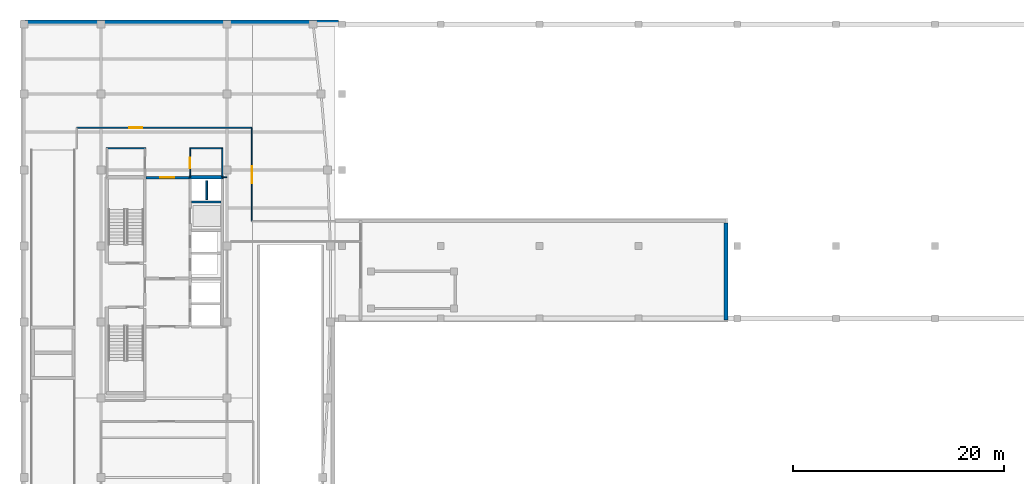
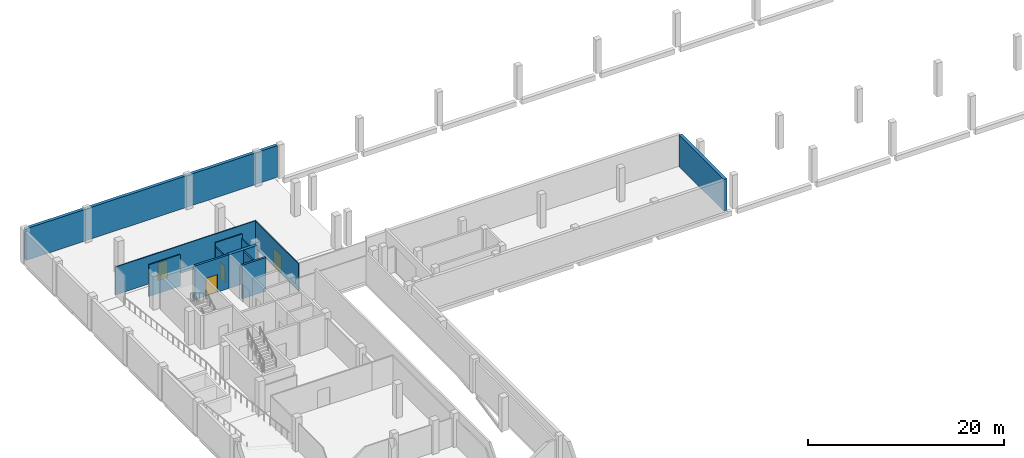
# One storey, part 8 of 15: 13 walls, 4 doors, 4 openings.
"""IFC4 building model written with IfcOpenShell, lengths in metres."""

from ifc_helpers import new_model, si_unit, direction, frame, frame_2d, origin, place, context, subcontext, project, spatial, rectangle, extrude, material, layer, layer_set, type_object, element, fill, save


model = new_model("IFC4")

# Units and contexts
model_context = context("Model", 3, precision=1e-05, world=origin(), true_north=direction((0.0, 1.0)))
body_context = subcontext(model_context, "Body", "Model", "MODEL_VIEW")
ifc_project = project(units=[si_unit("LENGTHUNIT", "METRE"), si_unit("AREAUNIT", "SQUARE_METRE"), si_unit("VOLUMEUNIT", "CUBIC_METRE"), si_unit("PLANEANGLEUNIT", "RADIAN"), si_unit("MASSUNIT", "GRAM", prefix="KILO")], contexts=[model_context])

# Site, building, storey
site_placement = place(None, origin())
site = spatial("IfcSite", under=ifc_project, at=site_placement, CompositionType="ELEMENT")
building_placement = place(site_placement, origin())
building = spatial("IfcBuilding", under=site, at=building_placement, Name="Quillay Park Conservatory", CompositionType="ELEMENT")
storey_placement = place(building_placement, frame((0.0, 0.0, -4.199951171875)))
storey = spatial("IfcBuildingStorey", under=building, at=storey_placement, Name="B1", CompositionType="ELEMENT", Elevation=-4.199951171875)

# Wall
ifc_material_1 = material(Name="Steel-Stud Acoustic Gypsum Board Partition", Category="steel")
ifc_layer_1 = layer(ifc_material_1, 0.10498046875)
ifc_layer_set_1 = layer_set([ifc_layer_1], Name="ACOUSTIC GYPSUM PARTITION 105 (Steel-Stud Acoustic Gypsum Board Partition)")
wall_type_1 = type_object("IfcWallType", Name="ACOUSTIC GYPSUM PARTITION 105", PredefinedType="PARTITIONING", material=ifc_layer_set_1)
wall_1_placement = place(storey_placement, frame((19.75, 98.89990234375, 0.0), z_axis=(0.0, 0.0, 1.0), x_axis=(-1.0, 0.0, 0.0)))
element("IfcWall", 1, at=wall_1_placement, inside=storey, type_object=wall_type_1, Name="B1 Core North-East Closure", PredefinedType="PARTITIONING", context=body_context, shape_type="SweptSolid", body=[
    extrude(rectangle(XDim=0.429931640625, YDim=0.10498046875, at=frame_2d((0.21484375, 0.0))), origin(), (0.0, 0.0, 1.0), 3.47705078125),
])

# Wall, opening, door
ifc_material_2 = material(Name="Steel-Stud Acoustic Gypsum Board Partition", Category="steel")
ifc_layer_2 = layer(ifc_material_2, 0.110107421875)
ifc_layer_set_2 = layer_set([ifc_layer_2], Name="ACOUSTIC GYPSUM PARTITION 110 (Steel-Stud Acoustic Gypsum Board Partition)")
wall_type_2 = type_object("IfcWallType", Name="ACOUSTIC GYPSUM PARTITION 110", PredefinedType="PARTITIONING", material=ifc_layer_set_2)
wall_2_placement = place(storey_placement, frame((16.280029296875, 98.919921875, 0.0), z_axis=(0.0, 0.0, 1.0), x_axis=(0.0, 1.0, 0.0)))
wall_2 = element("IfcWall", 2, at=wall_2_placement, inside=storey, type_object=wall_type_2, Name="B1 Washroom Door Wall", PredefinedType="PARTITIONING", context=body_context, shape_type="SweptSolid", body=[
    extrude(rectangle(XDim=2.68017578125, YDim=0.110107421875, at=frame_2d((1.340087890625, 0.0))), origin(), (0.0, 0.0, 1.0), 3.40087890625),
])
opening_1_placement = place(wall_2_placement, frame((0.840087890625, 0.0, 0.0)))
opening_1 = element("IfcOpeningElement", 3, at=opening_1_placement, cuts=wall_2, Name="Opening D-RM04", PredefinedType="OPENING", context=body_context, shape_type="SweptSolid", body=[
    extrude(rectangle(XDim=1.0, YDim=2.10009765625, at=frame_2d((0.5, 1.050048828125))), frame((0.0, 0.05517578125, 0.0), z_axis=(0.0, -1.0, 0.0), x_axis=(1.0, 0.0, 0.0)), (0.0, 0.0, 1.0), 0.110107421875),
])
ifc_material_3 = material(Name="Thermally Broken Anodised Aluminium 6063-T6", Category="aluminium")
door_type_1 = type_object("IfcDoorType", Name="SINGLE SWING DOOR 1000 X2100", OperationType="NOTDEFINED", PredefinedType="DOOR", material=ifc_material_3)
door_1_placement = place(opening_1_placement, origin())
door_1 = element("IfcDoor", 4, at=door_1_placement, inside=storey, type_object=door_type_1, Name="B1 Door to B1 Restroom and Washroom", OperationType="SINGLE_SWING_RIGHT", OverallHeight=2.10009765625, OverallWidth=1.0, PredefinedType="DOOR", context=body_context, shape_type="SweptSolid", body=[
    extrude(rectangle(XDim=1.0, YDim=2.10009765625, at=frame_2d((0.5, 1.050048828125))), frame((0.0, 0.02490234375, 0.0), z_axis=(0.0, -1.0, 0.0), x_axis=(1.0, 0.0, 0.0)), (0.0, 0.0, 1.0), 0.050048828125),
])
fill(opening_1, door_1)

wall_3_placement = place(storey_placement, frame((22.1201171875, 103.60009765625, 0.0), z_axis=(0.0, 0.0, 1.0), x_axis=(0.0, -1.0, 0.0)))
wall_3 = element("IfcWall", 5, at=wall_3_placement, inside=storey, type_object=wall_type_2, Name="B1 North-East Plant West Wall", PredefinedType="PARTITIONING", context=body_context, shape_type="SweptSolid", body=[
    extrude(rectangle(XDim=8.85009765625, YDim=0.110107421875, at=frame_2d((4.425048828125, 0.0))), origin(), (0.0, 0.0, 1.0), 3.40087890625),
])
opening_2_placement = place(wall_3_placement, frame((3.64990234375, 0.0, 0.0)))
opening_2 = element("IfcOpeningElement", 6, at=opening_2_placement, cuts=wall_3, Name="Opening D-PL02", PredefinedType="OPENING", context=body_context, shape_type="SweptSolid", body=[
    extrude(rectangle(XDim=1.60009765625, YDim=2.25, at=frame_2d((0.800048828125, 1.125))), frame((0.0, 0.05517578125, 0.0), z_axis=(0.0, -1.0, 0.0), x_axis=(1.0, 0.0, 0.0)), (0.0, 0.0, 1.0), 0.110107421875),
])
ifc_material_4 = material(Name="Steel ASTM A572 Grade 50", Category="steel")
door_type_2 = type_object("IfcDoorType", Name="FIRE RATED PLANT DOOR 1600 X2250", OperationType="NOTDEFINED", PredefinedType="DOOR", material=ifc_material_4)
door_2_placement = place(opening_2_placement, origin())
door_2 = element("IfcDoor", 7, at=door_2_placement, inside=storey, type_object=door_type_2, Name="B1 Door to B1 Herbarium Cold Acclimatisation Room", OperationType="SINGLE_SWING_RIGHT", OverallHeight=2.25, OverallWidth=1.60009765625, PredefinedType="DOOR", context=body_context, shape_type="SweptSolid", body=[
    extrude(rectangle(XDim=1.60009765625, YDim=2.25, at=frame_2d((0.800048828125, 1.125))), frame((0.0, 0.02490234375, 0.0), z_axis=(0.0, -1.0, 0.0), x_axis=(1.0, 0.0, 0.0)), (0.0, 0.0, 1.0), 0.050048828125),
])
fill(opening_2, door_2)

wall_4_placement = place(storey_placement, frame((5.550048828125, 103.60009765625, 0.0), z_axis=(0.0, 0.0, 1.0), x_axis=(1.0, 0.0, 0.0)))
wall_4 = element("IfcWall", 8, at=wall_4_placement, inside=storey, type_object=wall_type_2, Name="B1 Cycle Hub South Wall", PredefinedType="PARTITIONING", context=body_context, shape_type="SweptSolid", body=[
    extrude(rectangle(XDim=16.570068359375, YDim=0.110107421875, at=frame_2d((8.28515625, 0.0))), origin(), (0.0, 0.0, 1.0), 3.47705078125),
])
opening_3_placement = place(wall_4_placement, frame((4.989990234375, 0.0, 0.0)))
opening_3 = element("IfcOpeningElement", 9, at=opening_3_placement, cuts=wall_4, Name="Opening D-RM18", PredefinedType="OPENING", context=body_context, shape_type="SweptSolid", body=[
    extrude(rectangle(XDim=1.219970703125, YDim=2.199951171875, at=frame_2d((0.60986328125, 1.10009765625))), frame((0.0, 0.05517578125, 0.0), z_axis=(0.0, -1.0, 0.0), x_axis=(1.0, 0.0, 0.0)), (0.0, 0.0, 1.0), 0.110107421875),
])
ifc_material_5 = material(Name="Thermally Broken Anodised Aluminium 6063-T6", Category="aluminium")
door_type_3 = type_object("IfcDoorType", Name="SINGLE SWING DOOR 1220 X2200", OperationType="NOTDEFINED", PredefinedType="DOOR", material=ifc_material_5)
door_3_placement = place(opening_3_placement, origin())
door_3 = element("IfcDoor", 10, at=door_3_placement, inside=storey, type_object=door_type_3, Name="B1 Door to B1 Staff Bicycle Hub and Shower Suite", OperationType="SINGLE_SWING_RIGHT", OverallHeight=2.199951171875, OverallWidth=1.219970703125, PredefinedType="DOOR", context=body_context, shape_type="SweptSolid", body=[
    extrude(rectangle(XDim=1.219970703125, YDim=2.199951171875, at=frame_2d((0.60986328125, 1.10009765625))), frame((0.0, 0.02490234375, 0.0), z_axis=(0.0, -1.0, 0.0), x_axis=(1.0, 0.0, 0.0)), (0.0, 0.0, 1.0), 0.050048828125),
])
fill(opening_3, door_3)

# Walls
ifc_material_6 = material(Name="Steel-Stud Acoustic Gypsum Board Partition", Category="steel")
ifc_layer_3 = layer(ifc_material_6, 0.114990234375)
ifc_layer_set_3 = layer_set([ifc_layer_3], Name="ACOUSTIC GYPSUM PARTITION 115 (Steel-Stud Acoustic Gypsum Board Partition)")
wall_type_3 = type_object("IfcWallType", Name="ACOUSTIC GYPSUM PARTITION 115", PredefinedType="PARTITIONING", material=ifc_layer_set_3)
wall_5_placement = place(storey_placement, frame((19.3798828125, 101.659912109375, 0.0), z_axis=(0.0, 0.0, 1.0), x_axis=(-1.0, 0.0, 0.0)))
element("IfcWall", 11, at=wall_5_placement, inside=storey, type_object=wall_type_3, Name="B1 Washroom North Wall", PredefinedType="PARTITIONING", context=body_context, shape_type="SweptSolid", body=[
    extrude(rectangle(XDim=3.159912109375, YDim=0.114990234375, at=frame_2d((1.580078125, 0.0))), origin(), (0.0, 0.0, 1.0), 3.949951171875),
])
ifc_material_7 = material(Name="Steel-Stud Acoustic Gypsum Board Partition", Category="steel")
ifc_layer_4 = layer(ifc_material_7, 0.1201171875)
ifc_layer_set_4 = layer_set([ifc_layer_4], Name="ACOUSTIC GYPSUM PARTITION 120 (Steel-Stud Acoustic Gypsum Board Partition)")
wall_type_4 = type_object("IfcWallType", Name="ACOUSTIC GYPSUM PARTITION 120", PredefinedType="PARTITIONING", material=ifc_layer_set_4)
wall_6_placement = place(storey_placement, frame((19.320068359375, 98.919921875, 0.0), z_axis=(0.0, 0.0, 1.0), x_axis=(0.0, 1.0, 0.0)))
element("IfcWall", 12, at=wall_6_placement, inside=storey, type_object=wall_type_4, Name="B1 Washroom East Wall", PredefinedType="PARTITIONING", context=body_context, shape_type="SweptSolid", body=[
    extrude(rectangle(XDim=2.739990234375, YDim=0.1201171875, at=frame_2d((1.3701171875, 0.0))), origin(), (0.0, 0.0, 1.0), 3.40087890625),
])
ifc_material_8 = material(Name="Steel-Stud Acoustic Gypsum Board Partition", Category="steel")
ifc_layer_5 = layer(ifc_material_8, 0.1298828125)
ifc_layer_set_5 = layer_set([ifc_layer_5], Name="ACOUSTIC GYPSUM PARTITION 130 (Steel-Stud Acoustic Gypsum Board Partition)")
wall_type_5 = type_object("IfcWallType", Name="ACOUSTIC GYPSUM PARTITION 130", PredefinedType="PARTITIONING", material=ifc_layer_set_5)
wall_7_placement = place(storey_placement, frame((8.360107421875, 101.659912109375, 0.0), z_axis=(0.0, 0.0, 1.0), x_axis=(1.0, 0.0, 0.0)))
element("IfcWall", 13, at=wall_7_placement, inside=storey, type_object=wall_type_5, Name="B1 Accessible WC North Wall", PredefinedType="PARTITIONING", context=body_context, shape_type="SweptSolid", body=[
    extrude(rectangle(XDim=3.699951171875, YDim=0.1298828125, at=frame_2d((1.85009765625, 0.0))), origin(), (0.0, 0.0, 1.0), 3.949951171875),
])
ifc_material_9 = material(Name="Concrete C35/45 (NCh170 Concrete C35/45)", Category="concrete")
ifc_layer_6 = layer(ifc_material_9, 0.22509765625)
ifc_layer_set_6 = layer_set([ifc_layer_6], Name="CORE SHEAR WALL 225 (Concrete C35/45 (NCh170 Concrete C35/45))")
wall_type_6 = type_object("IfcWallType", Name="CORE SHEAR WALL 225", PredefinedType="SHEAR", material=ifc_layer_set_6)
wall_8_placement = place(storey_placement, frame((16.39990234375, 96.574951171875, 0.0), z_axis=(0.0, 0.0, 1.0), x_axis=(1.0, 0.0, 0.0)))
element("IfcWall", 14, at=wall_8_placement, inside=storey, type_object=wall_type_6, Name="B1 Core Shear Wall WL-LFDIV-B1-965", PredefinedType="SHEAR", context=body_context, shape_type="SweptSolid", body=[
    extrude(rectangle(XDim=2.800048828125, YDim=0.22509765625, at=frame_2d((1.39990234375, 0.0))), origin(), (0.0, 0.0, 1.0), 4.199951171875),
])

# Wall, opening, door
ifc_material_10 = material(Name="Concrete C40/50 (NCh170 Concrete C40/50)", Category="concrete")
ifc_layer_7 = layer(ifc_material_10, 0.25)
ifc_layer_set_7 = layer_set([ifc_layer_7], Name="CORE SHEAR WALL 250 (Concrete C40/50 (NCh170 Concrete C40/50))")
wall_type_7 = type_object("IfcWallType", Name="CORE SHEAR WALL 250", PredefinedType="SHEAR", material=ifc_layer_set_7)
wall_9_placement = place(storey_placement, frame((12.1201171875, 98.875, 0.0), z_axis=(0.0, 0.0, 1.0), x_axis=(1.0, 0.0, 0.0)))
wall_9 = element("IfcWall", 15, at=wall_9_placement, inside=storey, type_object=wall_type_7, Name="B1 Core Shear Wall WL-PAXN-B1", PredefinedType="SHEAR", context=body_context, shape_type="SweptSolid", body=[
    extrude(rectangle(XDim=4.02978515625, YDim=0.25, at=frame_2d((2.014892578125, 0.0))), origin(), (0.0, 0.0, 1.0), 4.199951171875),
])
opening_4_placement = place(wall_9_placement, frame((1.35009765625, 0.0, 0.0)))
opening_4 = element("IfcOpeningElement", 16, at=opening_4_placement, cuts=wall_9, Name="Opening D-LB02", PredefinedType="OPENING", context=body_context, shape_type="SweptSolid", body=[
    extrude(rectangle(XDim=1.300048828125, YDim=2.199951171875, at=frame_2d((0.64990234375, 1.10009765625))), frame((0.0, 0.125, 0.0), z_axis=(0.0, -1.0, 0.0), x_axis=(1.0, 0.0, 0.0)), (0.0, 0.0, 1.0), 0.25),
])
ifc_material_11 = material(Name="Steel ASTM A572 Grade 50", Category="steel")
door_type_4 = type_object("IfcDoorType", Name="FIRE RATED LOBBY DOOR 1300 X2200", OperationType="NOTDEFINED", PredefinedType="DOOR", material=ifc_material_11)
door_4_placement = place(opening_4_placement, origin())
door_4 = element("IfcDoor", 17, at=door_4_placement, inside=storey, type_object=door_type_4, Name="B1 North Lift Lobby Door", OperationType="SINGLE_SWING_RIGHT", OverallHeight=2.199951171875, OverallWidth=1.300048828125, PredefinedType="DOOR", context=body_context, shape_type="SweptSolid", body=[
    extrude(rectangle(XDim=1.300048828125, YDim=2.199951171875, at=frame_2d((0.64990234375, 1.10009765625))), frame((0.0, 0.02490234375, 0.0), z_axis=(0.0, -1.0, 0.0), x_axis=(1.0, 0.0, 0.0)), (0.0, 0.0, 1.0), 0.050048828125),
])
fill(opening_4, door_4)

# Walls
ifc_material_12 = material(Name="Concrete C40/50 (NCh170 Concrete C40/50)", Category="concrete")
ifc_layer_8 = layer(ifc_material_12, 0.35009765625)
ifc_layer_set_8 = layer_set([ifc_layer_8], Name="CORE SHEAR WALL 350 (Concrete C40/50 (NCh170 Concrete C40/50))")
wall_type_8 = type_object("IfcWallType", Name="CORE SHEAR WALL 350", PredefinedType="SHEAR", material=ifc_layer_set_8)
wall_10_placement = place(storey_placement, frame((16.14990234375, 98.925048828125, 0.0), z_axis=(0.0, 0.0, 1.0), x_axis=(1.0, 0.0, 0.0)))
element("IfcWall", 18, at=wall_10_placement, inside=storey, type_object=wall_type_8, Name="B1 Core Shear Wall WL-TCN-E-B1", PredefinedType="SHEAR", context=body_context, shape_type="SweptSolid", body=[
    extrude(rectangle(XDim=3.300048828125, YDim=0.35009765625, at=frame_2d((1.64990234375, 0.0))), origin(), (0.0, 0.0, 1.0), 4.199951171875),
])
ifc_material_13 = material(Name="Steel-Stud Acoustic Gypsum Board Partition", Category="steel")
ifc_layer_9 = layer(ifc_material_13, 0.155029296875)
ifc_layer_set_9 = layer_set([ifc_layer_9], Name="PLUMBING SHAFT WALL 155 (Steel-Stud Acoustic Gypsum Board Partition)")
wall_type_9 = type_object("IfcWallType", Name="PLUMBING SHAFT WALL 155", PredefinedType="PLUMBINGWALL", material=ifc_layer_set_9)
wall_11_placement = place(storey_placement, frame((17.85009765625, 96.800048828125, 0.0), z_axis=(0.0, 0.0, 1.0), x_axis=(0.0, 1.0, 0.0)))
element("IfcWall", 19, at=wall_11_placement, inside=storey, type_object=wall_type_9, Name="B1 Plumbing Riser Wall", PredefinedType="PLUMBINGWALL", context=body_context, shape_type="SweptSolid", body=[
    extrude(rectangle(XDim=1.800048828125, YDim=0.155029296875, at=frame_2d((0.89990234375, 0.0))), origin(), (0.0, 0.0, 1.0), 4.199951171875),
])
ifc_material_14 = material(Name="Concrete C35/45 (NCh170 Concrete C35/45)", Category="concrete")
ifc_layer_10 = layer(ifc_material_14, 0.360107421875)
ifc_layer_set_10 = layer_set([ifc_layer_10], Name="RETAINING WALL 360 (Concrete C35/45 (NCh170 Concrete C35/45))")
wall_type_10 = type_object("IfcWallType", Name="RETAINING WALL 360", PredefinedType="USERDEFINED", material=ifc_layer_set_10)
wall_12_placement = place(storey_placement, frame((0.64990234375, 113.60009765625, 0.0), z_axis=(0.0, 0.0, 1.0), x_axis=(1.0, 0.0, 0.0)))
element("IfcWall", 20, at=wall_12_placement, inside=storey, type_object=wall_type_10, Name="B1 Perimeter Retaining Wall 02", ObjectType="RETAINING WALL", PredefinedType="USERDEFINED", context=body_context, shape_type="SweptSolid", body=[
    extrude(rectangle(XDim=29.675048828125, YDim=0.360107421875, at=frame_2d((14.83740234375, 0.0))), origin(), (0.0, 0.0, 1.0), 3.949951171875),
])
wall_13_placement = place(storey_placement, frame((67.0, 94.60009765625, 0.0), z_axis=(0.0, 0.0, 1.0), x_axis=(0.0, -1.0, 0.0)))
element("IfcWall", 21, at=wall_13_placement, inside=storey, type_object=wall_type_10, Name="B1 Perimeter Retaining Wall 05", ObjectType="RETAINING WALL", PredefinedType="USERDEFINED", context=body_context, shape_type="SweptSolid", body=[
    extrude(rectangle(XDim=9.2001953125, YDim=0.360107421875, at=frame_2d((4.60009765625, 0.0))), origin(), (0.0, 0.0, 1.0), 3.949951171875),
])

save(model, "model.ifc")
